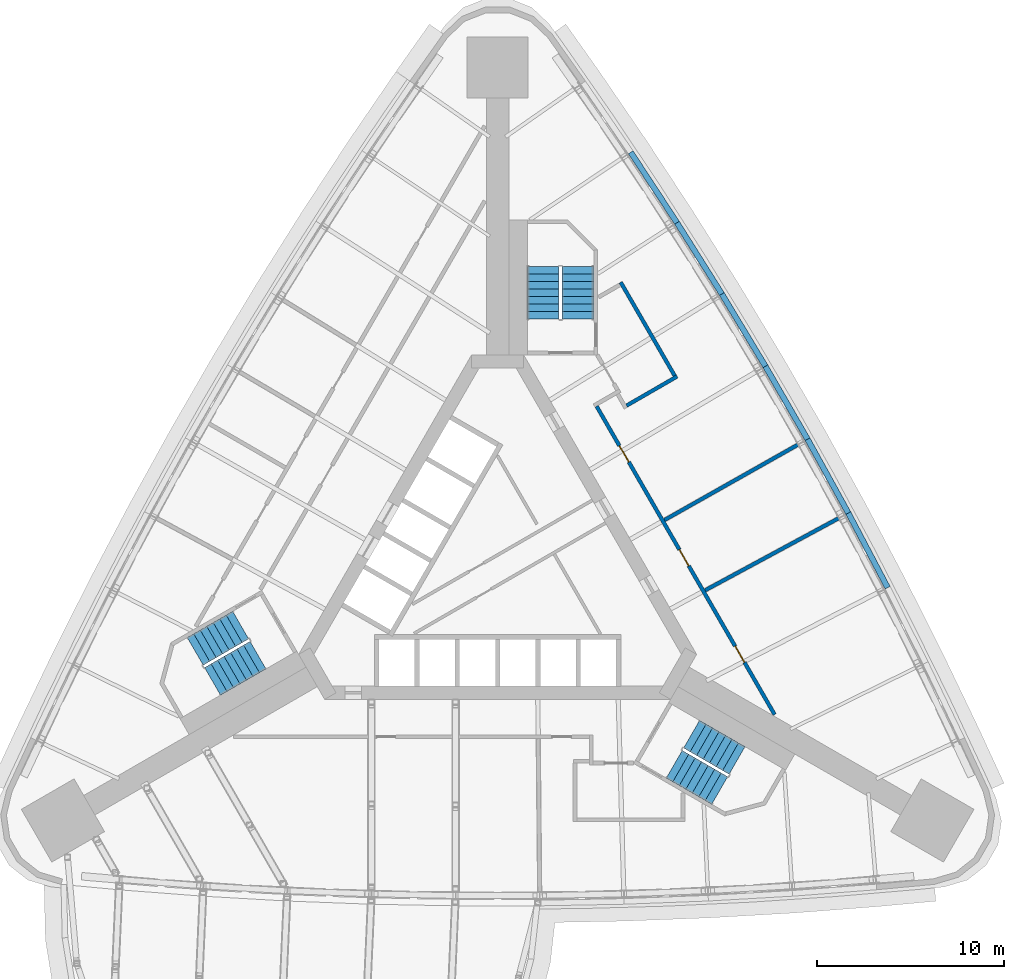
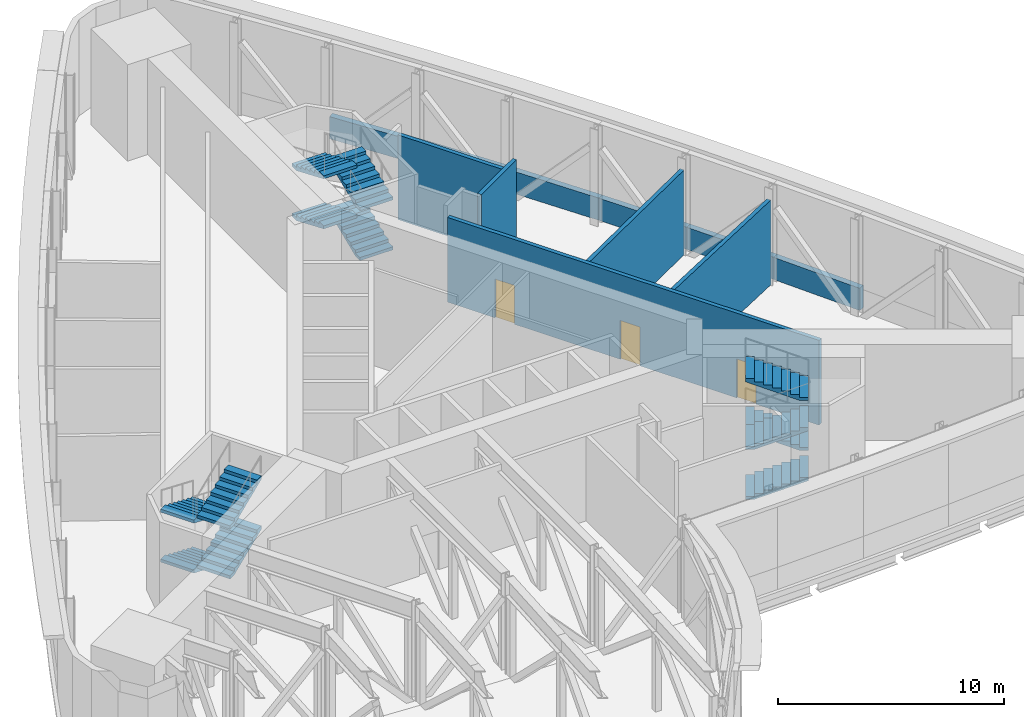
# One storey, part 8 of 10: 12 stair flights, 11 walls, 3 doors, 3 openings, 3 elements without a shape of their own.
"""IFC4 building model written with IfcOpenShell, lengths in metres."""

from ifc_helpers import new_model, si_unit, direction, frame, frame_2d, origin, place, context, subcontext, project, spatial, polyline, rectangle, outline, extrude, material, layer, layer_set, type_object, element, fill, aggregate, save


model = new_model("IFC4")

# Units and contexts
model_context = context("Model", 3, precision=1e-05, world=origin(), true_north=direction((0.0, 1.0)))
body_context = subcontext(model_context, "Body", "Model", "MODEL_VIEW")
ifc_project = project(units=[si_unit("LENGTHUNIT", "METRE"), si_unit("AREAUNIT", "SQUARE_METRE"), si_unit("VOLUMEUNIT", "CUBIC_METRE"), si_unit("PLANEANGLEUNIT", "RADIAN"), si_unit("MASSUNIT", "GRAM", prefix="KILO")], contexts=[model_context])

# Site, building, storey
site_placement = place(None, origin())
site = spatial("IfcSite", under=ifc_project, at=site_placement, CompositionType="ELEMENT")
building_placement = place(site_placement, origin())
building = spatial("IfcBuilding", under=site, at=building_placement, Name="Noor Cloister Tower", CompositionType="ELEMENT")
storey_placement = place(building_placement, frame((0.0, 0.0, 52.800048828125)))
storey = spatial("IfcBuildingStorey", under=building, at=storey_placement, Name="L13", CompositionType="ELEMENT", Elevation=52.800048828125)

# Walls
ifc_material_1 = material(Name="Limestone", Category="masonry")
ifc_layer_1 = layer(ifc_material_1, 0.300048828125)
ifc_layer_set_1 = layer_set([ifc_layer_1], Name="Limestone panel wall 300")
wall_type_1 = type_object("IfcWallType", Name="Limestone panel wall 300", PredefinedType="NOTDEFINED", material=ifc_layer_set_1)
wall_1_placement = place(storey_placement, origin())
element("IfcWall", 1, at=wall_1_placement, inside=storey, type_object=wall_type_1, Name="Limestone panel wall L13 4.3", PredefinedType="NOTDEFINED", context=body_context, shape_type="SweptSolid", body=[
    extrude(outline(polyline([(20.939697265625, -0.89599609375), (18.840087890625, 3.084228515625), (18.57470703125, 2.9443359375), (20.67431640625, -1.035888671875), (20.939697265625, -0.89599609375)])), origin(), (0.0, 0.0, 1.0), 1.199951171875),
])
wall_2_placement = place(storey_placement, origin())
element("IfcWall", 2, at=wall_2_placement, inside=storey, type_object=wall_type_1, Name="Limestone panel wall L13 4.4", PredefinedType="NOTDEFINED", context=body_context, shape_type="SweptSolid", body=[
    extrude(outline(polyline([(18.840087890625, 3.084228515625), (16.6650390625, 7.0234375), (16.40234375, 6.87841796875), (18.57763671875, 2.939208984375), (18.840087890625, 3.084228515625)])), origin(), (0.0, 0.0, 1.0), 1.199951171875),
])
wall_3_placement = place(storey_placement, origin())
element("IfcWall", 3, at=wall_3_placement, inside=storey, type_object=wall_type_1, Name="Limestone panel wall L13 4.5", PredefinedType="NOTDEFINED", context=body_context, shape_type="SweptSolid", body=[
    extrude(outline(polyline([(16.6650390625, 7.0234375), (14.4150390625, 10.920654296875), (14.1552734375, 10.7705078125), (16.4052734375, 6.87353515625), (16.6650390625, 7.0234375)])), origin(), (0.0, 0.0, 1.0), 1.199951171875),
])
wall_4_placement = place(storey_placement, origin())
element("IfcWall", 4, at=wall_4_placement, inside=storey, type_object=wall_type_1, Name="Limestone panel wall L13 4.6", PredefinedType="NOTDEFINED", context=body_context, shape_type="SweptSolid", body=[
    extrude(outline(polyline([(14.4150390625, 10.920654296875), (12.091064453125, 14.77392578125), (11.834228515625, 14.618896484375), (14.158203125, 10.765625), (14.4150390625, 10.920654296875)])), origin(), (0.0, 0.0, 1.0), 1.199951171875),
])
wall_5_placement = place(storey_placement, origin())
element("IfcWall", 5, at=wall_5_placement, inside=storey, type_object=wall_type_1, Name="Limestone panel wall L13 4.7", PredefinedType="NOTDEFINED", context=body_context, shape_type="SweptSolid", body=[
    extrude(outline(polyline([(12.091064453125, 14.77392578125), (9.69384765625, 18.582275390625), (9.43994140625, 18.42236328125), (11.837158203125, 14.6142578125), (12.091064453125, 14.77392578125)])), origin(), (0.0, 0.0, 1.0), 1.199951171875),
])
wall_6_placement = place(storey_placement, origin())
element("IfcWall", 6, at=wall_6_placement, inside=storey, type_object=wall_type_1, Name="Limestone panel wall L13 4.8", PredefinedType="NOTDEFINED", context=body_context, shape_type="SweptSolid", body=[
    extrude(outline(polyline([(9.69384765625, 18.582275390625), (7.224609375, 22.343994140625), (6.9736328125, 22.179443359375), (9.443115234375, 18.417724609375), (9.69384765625, 18.582275390625)])), origin(), (0.0, 0.0, 1.0), 1.199951171875),
])

# Wall, openings, doors
ifc_material_2 = material(Name="Concrete block wall, 200 mm", Category="concrete")
ifc_layer_2 = layer(ifc_material_2, 0.199951171875)
ifc_layer_set_2 = layer_set([ifc_layer_2], Name="Upper floor plant room wall 200")
wall_type_2 = type_object("IfcWallType", Name="Upper floor plant room wall 200", PredefinedType="PARTITIONING", material=ifc_layer_set_2)
wall_7_placement = place(storey_placement, frame((5.281982421875, 8.70751953125, 0.0), z_axis=(0.0, 0.0, 1.0), x_axis=(0.500007704848, -0.866020955343, 0.0)))
wall_7 = element("IfcWall", 7, at=wall_7_placement, inside=storey, type_object=wall_type_2, Name="Upper floor plant room wall 200 L13 018", PredefinedType="PARTITIONING", context=body_context, shape_type="SweptSolid", body=[
    extrude(rectangle(XDim=18.990966796875, YDim=0.199951171875, at=frame_2d((9.49560546875, 0.0))), origin(), (0.0, 0.0, 1.0), 4.577880859375),
])
opening_1_placement = place(wall_7_placement, frame((14.77880859375, 0.0, 0.0)))
opening_1 = element("IfcOpeningElement", 8, at=opening_1_placement, cuts=wall_7, Name="Opening L13-010", PredefinedType="OPENING", context=body_context, shape_type="SweptSolid", body=[
    extrude(rectangle(XDim=1.0, YDim=2.10009765625, at=frame_2d((0.5, 1.050048828125))), frame((0.0, 0.10986328125, 0.0), z_axis=(0.0, -1.0, 0.0), x_axis=(1.0, 0.0, 0.0)), (0.0, 0.0, 1.0), 0.219970703125),
])
opening_2_placement = place(wall_7_placement, frame((8.82958984375, 0.0, 0.0)))
opening_2 = element("IfcOpeningElement", 9, at=opening_2_placement, cuts=wall_7, Name="Opening L13-011", PredefinedType="OPENING", context=body_context, shape_type="SweptSolid", body=[
    extrude(rectangle(XDim=1.0, YDim=2.10009765625, at=frame_2d((0.5, 1.050048828125))), frame((0.0, 0.10986328125, 0.0), z_axis=(0.0, -1.0, 0.0), x_axis=(1.0, 0.0, 0.0)), (0.0, 0.0, 1.0), 0.219970703125),
])
opening_3_placement = place(wall_7_placement, frame((2.434814453125, 0.0, 0.0)))
opening_3 = element("IfcOpeningElement", 10, at=opening_3_placement, cuts=wall_7, Name="Opening L13-012", PredefinedType="OPENING", context=body_context, shape_type="SweptSolid", body=[
    extrude(rectangle(XDim=1.0, YDim=2.10009765625, at=frame_2d((0.5, 1.050048828125))), frame((0.0, 0.10986328125, 0.0), z_axis=(0.0, -1.0, 0.0), x_axis=(1.0, 0.0, 0.0)), (0.0, 0.0, 1.0), 0.219970703125),
])
ifc_material_3 = material(Name="Timber door leaf with steel frame", Category="steel")
door_type = type_object("IfcDoorType", Name="Plant room door 1000", OperationType="NOTDEFINED", PredefinedType="DOOR", material=ifc_material_3)
door_1_placement = place(opening_1_placement, origin())
door_1 = element("IfcDoor", 11, at=door_1_placement, inside=storey, type_object=door_type, Name="Plant room door 1000 L13-010", OperationType="SINGLE_SWING_RIGHT", OverallHeight=2.10009765625, OverallWidth=1.0, PredefinedType="DOOR", context=body_context, shape_type="SweptSolid", body=[
    extrude(rectangle(XDim=1.0, YDim=2.10009765625, at=frame_2d((0.5, 1.050048828125))), frame((0.0, 0.02490234375, 0.0), z_axis=(0.0, -1.0, 0.0), x_axis=(1.0, 0.0, 0.0)), (0.0, 0.0, 1.0), 0.050048828125),
])
fill(opening_1, door_1)
door_2_placement = place(opening_2_placement, origin())
door_2 = element("IfcDoor", 12, at=door_2_placement, inside=storey, type_object=door_type, Name="Plant room door 1000 L13-011", OperationType="SINGLE_SWING_LEFT", OverallHeight=2.10009765625, OverallWidth=1.0, PredefinedType="DOOR", context=body_context, shape_type="SweptSolid", body=[
    extrude(rectangle(XDim=1.0, YDim=2.10009765625, at=frame_2d((0.5, 1.050048828125))), frame((0.0, 0.02490234375, 0.0), z_axis=(0.0, -1.0, 0.0), x_axis=(1.0, 0.0, 0.0)), (0.0, 0.0, 1.0), 0.050048828125),
])
fill(opening_2, door_2)
door_3_placement = place(opening_3_placement, origin())
door_3 = element("IfcDoor", 13, at=door_3_placement, inside=storey, type_object=door_type, Name="Plant room door 1000 L13-012", OperationType="SINGLE_SWING_LEFT", OverallHeight=2.10009765625, OverallWidth=1.0, PredefinedType="DOOR", context=body_context, shape_type="SweptSolid", body=[
    extrude(rectangle(XDim=1.0, YDim=2.10009765625, at=frame_2d((0.5, 1.050048828125))), frame((0.0, 0.02490234375, 0.0), z_axis=(0.0, -1.0, 0.0), x_axis=(1.0, 0.0, 0.0)), (0.0, 0.0, 1.0), 0.050048828125),
])
fill(opening_3, door_3)

# Walls
wall_8_placement = place(storey_placement, frame((11.069091796875, -1.1103515625, 0.0), z_axis=(0.0, 0.0, 1.0), x_axis=(0.879990497743, 0.474991288218, 0.0)))
element("IfcWall", 14, at=wall_8_placement, inside=storey, type_object=wall_type_2, Name="Upper floor plant room wall 200 L13 019", PredefinedType="PARTITIONING", context=body_context, shape_type="SweptSolid", body=[
    extrude(rectangle(XDim=8.130859375, YDim=0.199951171875, at=frame_2d((4.0654296875, 0.0))), origin(), (0.0, 0.0, 1.0), 4.577880859375),
])
wall_9_placement = place(storey_placement, frame((8.90185546875, 2.639892578125, 0.0), z_axis=(0.0, 0.0, 1.0), x_axis=(0.87077197932, 0.491687054976, 0.0)))
element("IfcWall", 15, at=wall_9_placement, inside=storey, type_object=wall_type_2, Name="Upper floor plant room wall 200 L13 020", PredefinedType="PARTITIONING", context=body_context, shape_type="SweptSolid", body=[
    extrude(rectangle(XDim=8.215087890625, YDim=0.199951171875, at=frame_2d((4.107421875, 0.0))), origin(), (0.0, 0.0, 1.0), 4.577880859375),
])
wall_10_placement = place(storey_placement, frame((6.877685546875, 8.743896484375, 0.0), z_axis=(0.0, 0.0, 1.0), x_axis=(0.866023983177, 0.500002460556, 0.0)))
element("IfcWall", 16, at=wall_10_placement, inside=storey, type_object=wall_type_2, Name="Upper floor plant room wall 200 L13 021", PredefinedType="PARTITIONING", context=body_context, shape_type="SweptSolid", body=[
    extrude(rectangle(XDim=3.11962890625, YDim=0.199951171875, at=frame_2d((1.559814453125, 0.0))), origin(), (0.0, 0.0, 1.0), 5.199951171875),
])
wall_11_placement = place(storey_placement, frame((6.566162109375, 15.326904296875, 0.0), z_axis=(0.0, 0.0, 1.0), x_axis=(0.499997778408, -0.866026686418, 0.0)))
element("IfcWall", 17, at=wall_11_placement, inside=storey, type_object=wall_type_2, Name="Upper floor plant room wall 200 L13 022", PredefinedType="PARTITIONING", context=body_context, shape_type="SweptSolid", body=[
    extrude(rectangle(XDim=5.7568359375, YDim=0.199951171875, at=frame_2d((2.87841796875, 0.0))), origin(), (0.0, 0.0, 1.0), 4.577880859375),
])

# Stair, stair flights
ifc_material_4 = material(Name="Concrete C40/50", Category="concrete")
stair_type = type_object("IfcStairType", Name="Exit stair 32 risers", PredefinedType="HALF_TURN_STAIR", material=ifc_material_4)
stair_1_placement = place(storey_placement, origin())
stair_1 = element("IfcStair", 18, at=stair_1_placement, inside=storey, type_object=stair_type, Name="Exit stair ST1 L13", PredefinedType="HALF_TURN_STAIR")
ifc_material_5 = material(Name="Concrete C40/50", Category="concrete")
stair_flight_type = type_object("IfcStairFlightType", Name="Exit stair flight", PredefinedType="STRAIGHT", material=ifc_material_5)
stair_flight_1_placement = place(storey_placement, frame((4.28564453125, 13.3564453125, 0.0), z_axis=(0.0, 0.0, 1.0), x_axis=(0.0, 1.0, 0.0)))
stair_flight_1 = element("IfcStairFlight", 19, at=stair_flight_1_placement, type_object=stair_flight_type, Name="ST1 flight 1", NumberOfRisers=8, NumberOfTreads=7, PredefinedType="STRAIGHT", RiserHeight=0.16875, TreadLength=0.4, context=body_context, shape_type="SweptSolid", body=[
    extrude(outline(polyline([(0.0, 0.0), (0.0, 0.168701171875), (0.39990234375, 0.168701171875), (0.39990234375, 0.33740234375), (0.800048828125, 0.33740234375), (0.800048828125, 0.50634765625), (1.199951171875, 0.50634765625), (1.199951171875, 0.675048828125), (1.60009765625, 0.675048828125), (1.60009765625, 0.84375), (2.0, 0.84375), (2.0, 1.012451171875), (2.39990234375, 1.012451171875), (2.39990234375, 1.18115234375), (2.800048828125, 1.18115234375), (2.800048828125, 1.35009765625), (2.800048828125, 1.0185546875), (0.3857421875, 0.0), (0.0, 0.0)])), frame((0.0, 0.85009765625, 0.0), z_axis=(0.0, -1.0, 0.0), x_axis=(1.0, 0.0, 0.0)), (0.0, 0.0, 1.0), 1.699951171875),
])
stair_flight_2_placement = place(storey_placement, frame((2.435546875, 16.156494140625, 1.349853515625), z_axis=(0.0, 0.0, 1.0), x_axis=(0.0, -1.0, 0.0)))
stair_flight_2 = element("IfcStairFlight", 20, at=stair_flight_2_placement, type_object=stair_flight_type, Name="ST1 flight 2", NumberOfRisers=8, NumberOfTreads=7, PredefinedType="STRAIGHT", RiserHeight=0.16875, TreadLength=0.4, context=body_context, shape_type="SweptSolid", body=[
    extrude(outline(polyline([(0.0, 0.0), (0.0, 0.168701171875), (0.39990234375, 0.168701171875), (0.39990234375, 0.33740234375), (0.800048828125, 0.33740234375), (0.800048828125, 0.50634765625), (1.199951171875, 0.50634765625), (1.199951171875, 0.675048828125), (1.60009765625, 0.675048828125), (1.60009765625, 0.84375), (2.0, 0.84375), (2.0, 1.012451171875), (2.39990234375, 1.012451171875), (2.39990234375, 1.18115234375), (2.800048828125, 1.18115234375), (2.800048828125, 1.35009765625), (2.800048828125, 1.0185546875), (0.3857421875, 0.0), (0.0, 0.0)])), frame((0.0, 0.85009765625, 0.0), z_axis=(0.0, -1.0, 0.0), x_axis=(1.0, 0.0, 0.0)), (0.0, 0.0, 1.0), 1.699951171875),
])
stair_flight_3_placement = place(storey_placement, frame((4.28564453125, 13.3564453125, 2.699951171875), z_axis=(0.0, 0.0, 1.0), x_axis=(0.0, 1.0, 0.0)))
stair_flight_3 = element("IfcStairFlight", 21, at=stair_flight_3_placement, type_object=stair_flight_type, Name="ST1 flight 3", NumberOfRisers=8, NumberOfTreads=7, PredefinedType="STRAIGHT", RiserHeight=0.16875, TreadLength=0.4, context=body_context, shape_type="SweptSolid", body=[
    extrude(outline(polyline([(0.0, 0.0), (0.0, 0.168701171875), (0.39990234375, 0.168701171875), (0.39990234375, 0.33740234375), (0.800048828125, 0.33740234375), (0.800048828125, 0.50634765625), (1.199951171875, 0.50634765625), (1.199951171875, 0.675048828125), (1.60009765625, 0.675048828125), (1.60009765625, 0.84375), (2.0, 0.84375), (2.0, 1.012451171875), (2.39990234375, 1.012451171875), (2.39990234375, 1.18115234375), (2.800048828125, 1.18115234375), (2.800048828125, 1.35009765625), (2.800048828125, 1.0185546875), (0.3857421875, 0.0), (0.0, 0.0)])), frame((0.0, 0.85009765625, 0.0), z_axis=(0.0, -1.0, 0.0), x_axis=(1.0, 0.0, 0.0)), (0.0, 0.0, 1.0), 1.699951171875),
])
stair_flight_4_placement = place(storey_placement, frame((2.435546875, 16.156494140625, 4.050048828125), z_axis=(0.0, 0.0, 1.0), x_axis=(0.0, -1.0, 0.0)))
stair_flight_4 = element("IfcStairFlight", 22, at=stair_flight_4_placement, type_object=stair_flight_type, Name="ST1 flight 4", NumberOfRisers=8, NumberOfTreads=7, PredefinedType="STRAIGHT", RiserHeight=0.16875, TreadLength=0.4, context=body_context, shape_type="SweptSolid", body=[
    extrude(outline(polyline([(0.0, 0.0), (0.0, 0.168701171875), (0.39990234375, 0.168701171875), (0.39990234375, 0.33740234375), (0.800048828125, 0.33740234375), (0.800048828125, 0.50634765625), (1.199951171875, 0.50634765625), (1.199951171875, 0.675048828125), (1.60009765625, 0.675048828125), (1.60009765625, 0.84375), (2.0, 0.84375), (2.0, 1.012451171875), (2.39990234375, 1.012451171875), (2.39990234375, 1.18115234375), (2.800048828125, 1.18115234375), (2.800048828125, 1.35009765625), (2.800048828125, 1.0185546875), (0.3857421875, 0.0), (0.0, 0.0)])), frame((0.0, 0.85009765625, 0.0), z_axis=(0.0, -1.0, 0.0), x_axis=(1.0, 0.0, 0.0)), (0.0, 0.0, 1.0), 1.699951171875),
])
aggregate(stair_1, [stair_flight_1, stair_flight_2, stair_flight_3, stair_flight_4])

stair_2_placement = place(storey_placement, origin())
stair_2 = element("IfcStair", 23, at=stair_2_placement, inside=storey, type_object=stair_type, Name="Exit stair ST2 L13", PredefinedType="HALF_TURN_STAIR")
stair_flight_5_placement = place(storey_placement, frame((-13.709716796875, -2.966796875, 0.0), z_axis=(0.0, 0.0, 1.0), x_axis=(-0.866025403784, -0.5, 0.0)))
stair_flight_5 = element("IfcStairFlight", 24, at=stair_flight_5_placement, type_object=stair_flight_type, Name="ST2 flight 1", NumberOfRisers=8, NumberOfTreads=7, PredefinedType="STRAIGHT", RiserHeight=0.16875, TreadLength=0.4, context=body_context, shape_type="SweptSolid", body=[
    extrude(outline(polyline([(0.0, 0.0), (0.0, 0.168701171875), (0.39990234375, 0.168701171875), (0.39990234375, 0.33740234375), (0.800048828125, 0.33740234375), (0.800048828125, 0.50634765625), (1.199951171875, 0.50634765625), (1.199951171875, 0.675048828125), (1.60009765625, 0.675048828125), (1.60009765625, 0.84375), (2.0, 0.84375), (2.0, 1.012451171875), (2.39990234375, 1.012451171875), (2.39990234375, 1.18115234375), (2.800048828125, 1.18115234375), (2.800048828125, 1.35009765625), (2.800048828125, 1.0185546875), (0.3857421875, 0.0), (0.0, 0.0)])), frame((0.0, 0.85009765625, 0.0), z_axis=(0.0, -1.0, 0.0), x_axis=(1.0, 0.0, 0.0)), (0.0, 0.0, 1.0), 1.699951171875),
])
stair_flight_6_placement = place(storey_placement, frame((-15.209716796875, -5.968994140625, 1.349853515625), z_axis=(0.0, 0.0, 1.0), x_axis=(0.866025403784, 0.5, 0.0)))
stair_flight_6 = element("IfcStairFlight", 25, at=stair_flight_6_placement, type_object=stair_flight_type, Name="ST2 flight 2", NumberOfRisers=8, NumberOfTreads=7, PredefinedType="STRAIGHT", RiserHeight=0.16875, TreadLength=0.4, context=body_context, shape_type="SweptSolid", body=[
    extrude(outline(polyline([(0.0, 0.0), (0.0, 0.168701171875), (0.39990234375, 0.168701171875), (0.39990234375, 0.33740234375), (0.800048828125, 0.33740234375), (0.800048828125, 0.50634765625), (1.199951171875, 0.50634765625), (1.199951171875, 0.675048828125), (1.60009765625, 0.675048828125), (1.60009765625, 0.84375), (2.0, 0.84375), (2.0, 1.012451171875), (2.39990234375, 1.012451171875), (2.39990234375, 1.18115234375), (2.800048828125, 1.18115234375), (2.800048828125, 1.35009765625), (2.800048828125, 1.0185546875), (0.3857421875, 0.0), (0.0, 0.0)])), frame((0.0, 0.85009765625, 0.0), z_axis=(0.0, -1.0, 0.0), x_axis=(1.0, 0.0, 0.0)), (0.0, 0.0, 1.0), 1.699951171875),
])
stair_flight_7_placement = place(storey_placement, frame((-13.709716796875, -2.966796875, 2.699951171875), z_axis=(0.0, 0.0, 1.0), x_axis=(-0.866025403784, -0.5, 0.0)))
stair_flight_7 = element("IfcStairFlight", 26, at=stair_flight_7_placement, type_object=stair_flight_type, Name="ST2 flight 3", NumberOfRisers=8, NumberOfTreads=7, PredefinedType="STRAIGHT", RiserHeight=0.16875, TreadLength=0.4, context=body_context, shape_type="SweptSolid", body=[
    extrude(outline(polyline([(0.0, 0.0), (0.0, 0.168701171875), (0.39990234375, 0.168701171875), (0.39990234375, 0.33740234375), (0.800048828125, 0.33740234375), (0.800048828125, 0.50634765625), (1.199951171875, 0.50634765625), (1.199951171875, 0.675048828125), (1.60009765625, 0.675048828125), (1.60009765625, 0.84375), (2.0, 0.84375), (2.0, 1.012451171875), (2.39990234375, 1.012451171875), (2.39990234375, 1.18115234375), (2.800048828125, 1.18115234375), (2.800048828125, 1.35009765625), (2.800048828125, 1.0185546875), (0.3857421875, 0.0), (0.0, 0.0)])), frame((0.0, 0.85009765625, 0.0), z_axis=(0.0, -1.0, 0.0), x_axis=(1.0, 0.0, 0.0)), (0.0, 0.0, 1.0), 1.699951171875),
])
stair_flight_8_placement = place(storey_placement, frame((-15.209716796875, -5.968994140625, 4.050048828125), z_axis=(0.0, 0.0, 1.0), x_axis=(0.866025403784, 0.5, 0.0)))
stair_flight_8 = element("IfcStairFlight", 27, at=stair_flight_8_placement, type_object=stair_flight_type, Name="ST2 flight 4", NumberOfRisers=8, NumberOfTreads=7, PredefinedType="STRAIGHT", RiserHeight=0.16875, TreadLength=0.4, context=body_context, shape_type="SweptSolid", body=[
    extrude(outline(polyline([(0.0, 0.0), (0.0, 0.168701171875), (0.39990234375, 0.168701171875), (0.39990234375, 0.33740234375), (0.800048828125, 0.33740234375), (0.800048828125, 0.50634765625), (1.199951171875, 0.50634765625), (1.199951171875, 0.675048828125), (1.60009765625, 0.675048828125), (1.60009765625, 0.84375), (2.0, 0.84375), (2.0, 1.012451171875), (2.39990234375, 1.012451171875), (2.39990234375, 1.18115234375), (2.800048828125, 1.18115234375), (2.800048828125, 1.35009765625), (2.800048828125, 1.0185546875), (0.3857421875, 0.0), (0.0, 0.0)])), frame((0.0, 0.85009765625, 0.0), z_axis=(0.0, -1.0, 0.0), x_axis=(1.0, 0.0, 0.0)), (0.0, 0.0, 1.0), 1.699951171875),
])
aggregate(stair_2, [stair_flight_5, stair_flight_6, stair_flight_7, stair_flight_8])

stair_3_placement = place(storey_placement, origin())
stair_3 = element("IfcStair", 28, at=stair_3_placement, inside=storey, type_object=stair_type, Name="Exit stair ST3 L13", PredefinedType="HALF_TURN_STAIR")
stair_flight_9_placement = place(storey_placement, frame((9.424072265625, -10.3896484375, 0.0), z_axis=(0.0, 0.0, 1.0), x_axis=(0.866025403784, -0.5, 0.0)))
stair_flight_9 = element("IfcStairFlight", 29, at=stair_flight_9_placement, type_object=stair_flight_type, Name="ST3 flight 1", NumberOfRisers=8, NumberOfTreads=7, PredefinedType="STRAIGHT", RiserHeight=0.16875, TreadLength=0.4, context=body_context, shape_type="SweptSolid", body=[
    extrude(outline(polyline([(0.0, 0.0), (0.0, 0.168701171875), (0.39990234375, 0.168701171875), (0.39990234375, 0.33740234375), (0.800048828125, 0.33740234375), (0.800048828125, 0.50634765625), (1.199951171875, 0.50634765625), (1.199951171875, 0.675048828125), (1.60009765625, 0.675048828125), (1.60009765625, 0.84375), (2.0, 0.84375), (2.0, 1.012451171875), (2.39990234375, 1.012451171875), (2.39990234375, 1.18115234375), (2.800048828125, 1.18115234375), (2.800048828125, 1.35009765625), (2.800048828125, 1.0185546875), (0.3857421875, 0.0), (0.0, 0.0)])), frame((0.0, 0.85009765625, 0.0), z_axis=(0.0, -1.0, 0.0), x_axis=(1.0, 0.0, 0.0)), (0.0, 0.0, 1.0), 1.699951171875),
])
stair_flight_10_placement = place(storey_placement, frame((12.77392578125, -10.1875, 1.349853515625), z_axis=(0.0, 0.0, 1.0), x_axis=(-0.866025403784, 0.5, 0.0)))
stair_flight_10 = element("IfcStairFlight", 30, at=stair_flight_10_placement, type_object=stair_flight_type, Name="ST3 flight 2", NumberOfRisers=8, NumberOfTreads=7, PredefinedType="STRAIGHT", RiserHeight=0.16875, TreadLength=0.4, context=body_context, shape_type="SweptSolid", body=[
    extrude(outline(polyline([(0.0, 0.0), (0.0, 0.168701171875), (0.39990234375, 0.168701171875), (0.39990234375, 0.33740234375), (0.800048828125, 0.33740234375), (0.800048828125, 0.50634765625), (1.199951171875, 0.50634765625), (1.199951171875, 0.675048828125), (1.60009765625, 0.675048828125), (1.60009765625, 0.84375), (2.0, 0.84375), (2.0, 1.012451171875), (2.39990234375, 1.012451171875), (2.39990234375, 1.18115234375), (2.800048828125, 1.18115234375), (2.800048828125, 1.35009765625), (2.800048828125, 1.0185546875), (0.3857421875, 0.0), (0.0, 0.0)])), frame((0.0, 0.85009765625, 0.0), z_axis=(0.0, -1.0, 0.0), x_axis=(1.0, 0.0, 0.0)), (0.0, 0.0, 1.0), 1.699951171875),
])
stair_flight_11_placement = place(storey_placement, frame((9.424072265625, -10.3896484375, 2.699951171875), z_axis=(0.0, 0.0, 1.0), x_axis=(0.866025403784, -0.5, 0.0)))
stair_flight_11 = element("IfcStairFlight", 31, at=stair_flight_11_placement, type_object=stair_flight_type, Name="ST3 flight 3", NumberOfRisers=8, NumberOfTreads=7, PredefinedType="STRAIGHT", RiserHeight=0.16875, TreadLength=0.4, context=body_context, shape_type="SweptSolid", body=[
    extrude(outline(polyline([(0.0, 0.0), (0.0, 0.168701171875), (0.39990234375, 0.168701171875), (0.39990234375, 0.33740234375), (0.800048828125, 0.33740234375), (0.800048828125, 0.50634765625), (1.199951171875, 0.50634765625), (1.199951171875, 0.675048828125), (1.60009765625, 0.675048828125), (1.60009765625, 0.84375), (2.0, 0.84375), (2.0, 1.012451171875), (2.39990234375, 1.012451171875), (2.39990234375, 1.18115234375), (2.800048828125, 1.18115234375), (2.800048828125, 1.35009765625), (2.800048828125, 1.0185546875), (0.3857421875, 0.0), (0.0, 0.0)])), frame((0.0, 0.85009765625, 0.0), z_axis=(0.0, -1.0, 0.0), x_axis=(1.0, 0.0, 0.0)), (0.0, 0.0, 1.0), 1.699951171875),
])
stair_flight_12_placement = place(storey_placement, frame((12.77392578125, -10.1875, 4.050048828125), z_axis=(0.0, 0.0, 1.0), x_axis=(-0.866025403784, 0.5, 0.0)))
stair_flight_12 = element("IfcStairFlight", 32, at=stair_flight_12_placement, type_object=stair_flight_type, Name="ST3 flight 4", NumberOfRisers=8, NumberOfTreads=7, PredefinedType="STRAIGHT", RiserHeight=0.16875, TreadLength=0.4, context=body_context, shape_type="SweptSolid", body=[
    extrude(outline(polyline([(0.0, 0.0), (0.0, 0.168701171875), (0.39990234375, 0.168701171875), (0.39990234375, 0.33740234375), (0.800048828125, 0.33740234375), (0.800048828125, 0.50634765625), (1.199951171875, 0.50634765625), (1.199951171875, 0.675048828125), (1.60009765625, 0.675048828125), (1.60009765625, 0.84375), (2.0, 0.84375), (2.0, 1.012451171875), (2.39990234375, 1.012451171875), (2.39990234375, 1.18115234375), (2.800048828125, 1.18115234375), (2.800048828125, 1.35009765625), (2.800048828125, 1.0185546875), (0.3857421875, 0.0), (0.0, 0.0)])), frame((0.0, 0.85009765625, 0.0), z_axis=(0.0, -1.0, 0.0), x_axis=(1.0, 0.0, 0.0)), (0.0, 0.0, 1.0), 1.699951171875),
])
aggregate(stair_3, [stair_flight_9, stair_flight_10, stair_flight_11, stair_flight_12])

save(model, "model.ifc")
